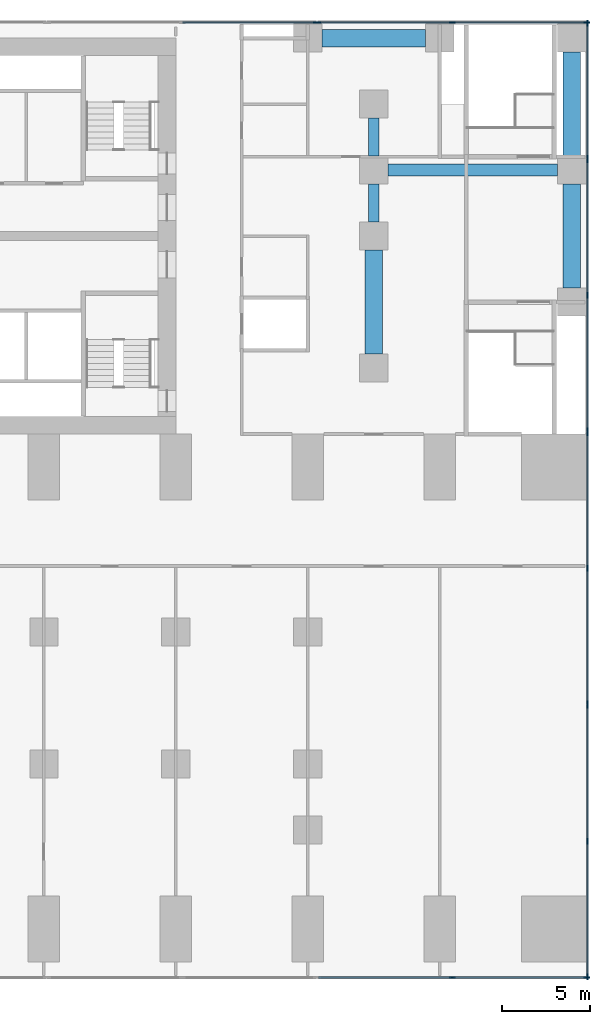
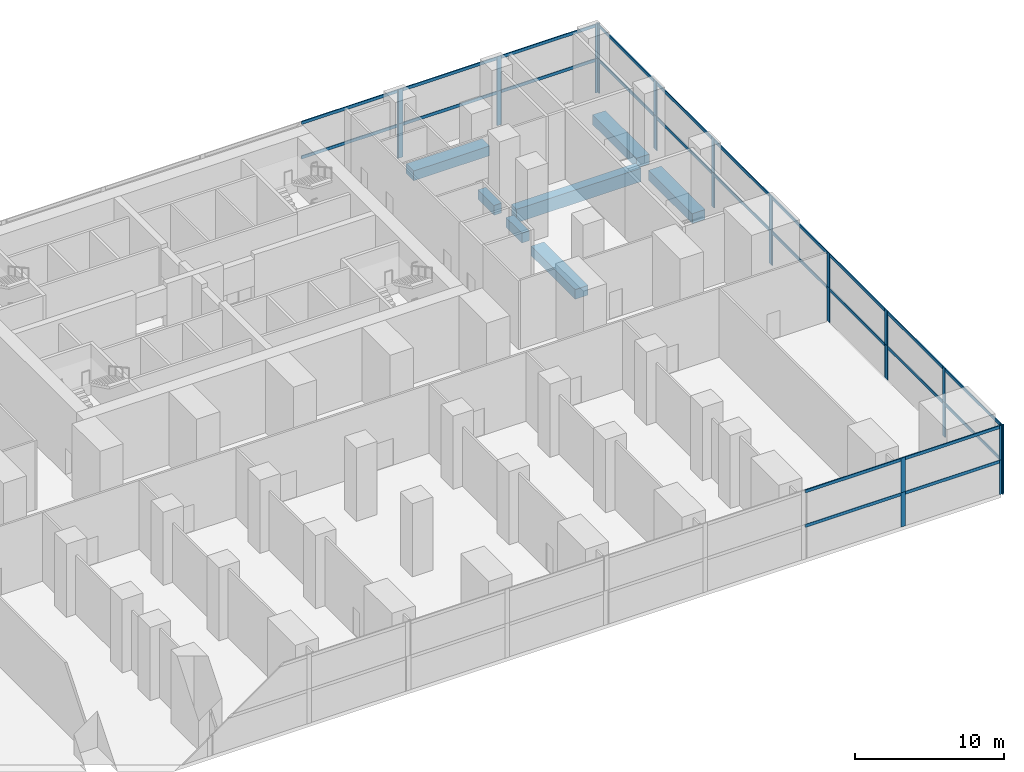
# One storey, part 5 of 14: 58 members, 7 beams, 14 elements without a shape of their own.
"""IFC4 building model written with IfcOpenShell, lengths in metres."""

from ifc_helpers import new_model, si_unit, direction, frame, origin, origin_2d, place, context, subcontext, project, spatial, rectangle, extrude, material, material_profile, profile_set, type_object, element, aggregate, save


model = new_model("IFC4")

# Units and contexts
model_context = context("Model", 3, precision=1e-05, world=origin(), true_north=direction((0.0, 1.0)))
body_context = subcontext(model_context, "Body", "Model", "MODEL_VIEW")
ifc_project = project(units=[si_unit("LENGTHUNIT", "METRE"), si_unit("AREAUNIT", "SQUARE_METRE"), si_unit("VOLUMEUNIT", "CUBIC_METRE"), si_unit("PLANEANGLEUNIT", "RADIAN"), si_unit("MASSUNIT", "GRAM", prefix="KILO")], contexts=[model_context])

# Site, building, storey
site_placement = place(None, origin())
site = spatial("IfcSite", under=ifc_project, at=site_placement, CompositionType="ELEMENT")
building_placement = place(site_placement, origin())
building = spatial("IfcBuilding", under=site, at=building_placement, Name="Pilkhan Gate Tower", CompositionType="ELEMENT")
storey_placement = place(building_placement, frame((0.0, 0.0, 24.0)))
storey = spatial("IfcBuildingStorey", under=building, at=storey_placement, Name="L03", CompositionType="ELEMENT", Elevation=24.0)

# Curtain wall, members
ifc_material_1 = material(Name="Pale anodised aluminium, clear low-iron laminated glazing", Category="aluminium")
curtain_wall_type = type_object("IfcCurtainWallType", Name="Podium unitised curtain wall CW-P", PredefinedType="USERDEFINED", material=ifc_material_1)
curtain_wall_1_placement = place(storey_placement, origin())
curtain_wall_1 = element("IfcCurtainWall", 1, at=curtain_wall_1_placement, inside=storey, type_object=curtain_wall_type, Name="Podium unitised curtain wall CW-P L03 E", ObjectType="UNITISED CURTAIN WALL", PredefinedType="USERDEFINED")
ifc_material_2 = material(Name="Pale anodised aluminium", Category="aluminium")
ifc_material_profile_1 = material_profile(ifc_material_2, rectangle(XDim=0.080078125, YDim=0.35009765625, at=origin_2d()), Name="Mullion 350x80")
ifc_profile_set_1 = profile_set([ifc_material_profile_1], Name="Pale anodised aluminium")
member_type_1 = type_object("IfcMemberType", Name="Mullion CW-P 350x80", PredefinedType="MULLION", material=ifc_profile_set_1)
member_1_placement = place(storey_placement, frame((113.39501953125, 40.39501953125, 0.0), z_axis=(0.0, 0.0, 1.0), x_axis=(-1.0, 0.0, 0.0)))
member_1 = element("IfcMember", 2, at=member_1_placement, type_object=member_type_1, Name="CW-P mullion 1", PredefinedType="MULLION", context=body_context, shape_type="SweptSolid", body=[
    extrude(rectangle(XDim=0.080078125, YDim=0.35009765625, at=origin_2d()), origin(), (0.0, 0.0, 1.0), 2.824951171875),
])
member_2_placement = place(storey_placement, frame((113.39501953125, 48.110595703125, 0.0), z_axis=(0.0, 0.0, 1.0), x_axis=(-1.0, 0.0, 0.0)))
member_2 = element("IfcMember", 3, at=member_2_placement, type_object=member_type_1, Name="CW-P mullion 2", PredefinedType="MULLION", context=body_context, shape_type="SweptSolid", body=[
    extrude(rectangle(XDim=0.080078125, YDim=0.35009765625, at=origin_2d()), origin(), (0.0, 0.0, 1.0), 2.824951171875),
])
member_3_placement = place(storey_placement, frame((113.39501953125, 55.826416015625, 0.0), z_axis=(0.0, 0.0, 1.0), x_axis=(-1.0, 0.0, 0.0)))
member_3 = element("IfcMember", 4, at=member_3_placement, type_object=member_type_1, Name="CW-P mullion 3", PredefinedType="MULLION", context=body_context, shape_type="SweptSolid", body=[
    extrude(rectangle(XDim=0.080078125, YDim=0.35009765625, at=origin_2d()), origin(), (0.0, 0.0, 1.0), 2.824951171875),
])

curtain_wall_2_placement = place(storey_placement, origin())
curtain_wall_2 = element("IfcCurtainWall", 5, at=curtain_wall_2_placement, inside=storey, type_object=curtain_wall_type, Name="Podium unitised curtain wall CW-P L03 E", ObjectType="UNITISED CURTAIN WALL", PredefinedType="USERDEFINED")
member_4_placement = place(storey_placement, frame((113.39501953125, 55.906494140625, 0.0), z_axis=(0.0, 0.0, 1.0), x_axis=(-1.0, 0.0, 0.0)))
member_4 = element("IfcMember", 6, at=member_4_placement, type_object=member_type_1, Name="CW-P mullion 1", PredefinedType="MULLION", context=body_context, shape_type="SweptSolid", body=[
    extrude(rectangle(XDim=0.080078125, YDim=0.35009765625, at=origin_2d()), origin(), (0.0, 0.0, 1.0), 2.824951171875),
])
member_5_placement = place(storey_placement, frame((113.39501953125, 63.6220703125, 0.0), z_axis=(0.0, 0.0, 1.0), x_axis=(-1.0, 0.0, 0.0)))
member_5 = element("IfcMember", 7, at=member_5_placement, type_object=member_type_1, Name="CW-P mullion 2", PredefinedType="MULLION", context=body_context, shape_type="SweptSolid", body=[
    extrude(rectangle(XDim=0.080078125, YDim=0.35009765625, at=origin_2d()), origin(), (0.0, 0.0, 1.0), 2.824951171875),
])
member_6_placement = place(storey_placement, frame((113.39501953125, 71.337890625, 0.0), z_axis=(0.0, 0.0, 1.0), x_axis=(-1.0, 0.0, 0.0)))
member_6 = element("IfcMember", 8, at=member_6_placement, type_object=member_type_1, Name="CW-P mullion 3", PredefinedType="MULLION", context=body_context, shape_type="SweptSolid", body=[
    extrude(rectangle(XDim=0.080078125, YDim=0.35009765625, at=origin_2d()), origin(), (0.0, 0.0, 1.0), 2.824951171875),
])

curtain_wall_3_placement = place(storey_placement, origin())
curtain_wall_3 = element("IfcCurtainWall", 9, at=curtain_wall_3_placement, inside=storey, type_object=curtain_wall_type, Name="Podium unitised curtain wall CW-P L03 E", ObjectType="UNITISED CURTAIN WALL", PredefinedType="USERDEFINED")
member_7_placement = place(storey_placement, frame((113.39501953125, 71.41796875, 0.0), z_axis=(0.0, 0.0, 1.0), x_axis=(-1.0, 0.0, 0.0)))
member_7 = element("IfcMember", 10, at=member_7_placement, type_object=member_type_1, Name="CW-P mullion 1", PredefinedType="MULLION", context=body_context, shape_type="SweptSolid", body=[
    extrude(rectangle(XDim=0.080078125, YDim=0.35009765625, at=origin_2d()), origin(), (0.0, 0.0, 1.0), 2.824951171875),
])
member_8_placement = place(storey_placement, frame((113.39501953125, 79.133544921875, 0.0), z_axis=(0.0, 0.0, 1.0), x_axis=(-1.0, 0.0, 0.0)))
member_8 = element("IfcMember", 11, at=member_8_placement, type_object=member_type_1, Name="CW-P mullion 2", PredefinedType="MULLION", context=body_context, shape_type="SweptSolid", body=[
    extrude(rectangle(XDim=0.080078125, YDim=0.35009765625, at=origin_2d()), origin(), (0.0, 0.0, 1.0), 2.824951171875),
])
member_9_placement = place(storey_placement, frame((113.39501953125, 86.849365234375, 0.0), z_axis=(0.0, 0.0, 1.0), x_axis=(-1.0, 0.0, 0.0)))
member_9 = element("IfcMember", 12, at=member_9_placement, type_object=member_type_1, Name="CW-P mullion 3", PredefinedType="MULLION", context=body_context, shape_type="SweptSolid", body=[
    extrude(rectangle(XDim=0.080078125, YDim=0.35009765625, at=origin_2d()), origin(), (0.0, 0.0, 1.0), 2.824951171875),
])

curtain_wall_4_placement = place(storey_placement, origin())
curtain_wall_4 = element("IfcCurtainWall", 13, at=curtain_wall_4_placement, inside=storey, type_object=curtain_wall_type, Name="Podium unitised curtain wall CW-P L03 E", ObjectType="UNITISED CURTAIN WALL", PredefinedType="USERDEFINED")
member_10_placement = place(storey_placement, frame((113.39501953125, 86.92919921875, 0.0), z_axis=(0.0, 0.0, 1.0), x_axis=(-1.0, 0.0, 0.0)))
member_10 = element("IfcMember", 14, at=member_10_placement, type_object=member_type_1, Name="CW-P mullion 1", PredefinedType="MULLION", context=body_context, shape_type="SweptSolid", body=[
    extrude(rectangle(XDim=0.080078125, YDim=0.35009765625, at=origin_2d()), origin(), (0.0, 0.0, 1.0), 2.824951171875),
])
member_11_placement = place(storey_placement, frame((113.39501953125, 94.60498046875, 0.0), z_axis=(0.0, 0.0, 1.0), x_axis=(-1.0, 0.0, 0.0)))
member_11 = element("IfcMember", 15, at=member_11_placement, type_object=member_type_1, Name="CW-P mullion 2", PredefinedType="MULLION", context=body_context, shape_type="SweptSolid", body=[
    extrude(rectangle(XDim=0.080078125, YDim=0.35009765625, at=origin_2d()), origin(), (0.0, 0.0, 1.0), 2.824951171875),
])

curtain_wall_5_placement = place(storey_placement, origin())
curtain_wall_5 = element("IfcCurtainWall", 16, at=curtain_wall_5_placement, inside=storey, type_object=curtain_wall_type, Name="Podium unitised curtain wall CW-P L03 E", ObjectType="UNITISED CURTAIN WALL", PredefinedType="USERDEFINED")
member_12_placement = place(storey_placement, frame((113.39501953125, 40.39501953125, 2.824951171875), z_axis=(0.0, 0.0, 1.0), x_axis=(-1.0, 0.0, 0.0)))
member_12 = element("IfcMember", 17, at=member_12_placement, type_object=member_type_1, Name="CW-P mullion 1", PredefinedType="MULLION", context=body_context, shape_type="SweptSolid", body=[
    extrude(rectangle(XDim=0.080078125, YDim=0.35009765625, at=origin_2d()), origin(), (0.0, 0.0, 1.0), 2.824951171875),
])
member_13_placement = place(storey_placement, frame((113.39501953125, 48.110595703125, 2.824951171875), z_axis=(0.0, 0.0, 1.0), x_axis=(-1.0, 0.0, 0.0)))
member_13 = element("IfcMember", 18, at=member_13_placement, type_object=member_type_1, Name="CW-P mullion 2", PredefinedType="MULLION", context=body_context, shape_type="SweptSolid", body=[
    extrude(rectangle(XDim=0.080078125, YDim=0.35009765625, at=origin_2d()), origin(), (0.0, 0.0, 1.0), 2.824951171875),
])
member_14_placement = place(storey_placement, frame((113.39501953125, 55.826416015625, 2.824951171875), z_axis=(0.0, 0.0, 1.0), x_axis=(-1.0, 0.0, 0.0)))
member_14 = element("IfcMember", 19, at=member_14_placement, type_object=member_type_1, Name="CW-P mullion 3", PredefinedType="MULLION", context=body_context, shape_type="SweptSolid", body=[
    extrude(rectangle(XDim=0.080078125, YDim=0.35009765625, at=origin_2d()), origin(), (0.0, 0.0, 1.0), 2.824951171875),
])

curtain_wall_6_placement = place(storey_placement, origin())
curtain_wall_6 = element("IfcCurtainWall", 20, at=curtain_wall_6_placement, inside=storey, type_object=curtain_wall_type, Name="Podium unitised curtain wall CW-P L03 E", ObjectType="UNITISED CURTAIN WALL", PredefinedType="USERDEFINED")
member_15_placement = place(storey_placement, frame((113.39501953125, 55.906494140625, 2.824951171875), z_axis=(0.0, 0.0, 1.0), x_axis=(-1.0, 0.0, 0.0)))
member_15 = element("IfcMember", 21, at=member_15_placement, type_object=member_type_1, Name="CW-P mullion 1", PredefinedType="MULLION", context=body_context, shape_type="SweptSolid", body=[
    extrude(rectangle(XDim=0.080078125, YDim=0.35009765625, at=origin_2d()), origin(), (0.0, 0.0, 1.0), 2.824951171875),
])
member_16_placement = place(storey_placement, frame((113.39501953125, 63.6220703125, 2.824951171875), z_axis=(0.0, 0.0, 1.0), x_axis=(-1.0, 0.0, 0.0)))
member_16 = element("IfcMember", 22, at=member_16_placement, type_object=member_type_1, Name="CW-P mullion 2", PredefinedType="MULLION", context=body_context, shape_type="SweptSolid", body=[
    extrude(rectangle(XDim=0.080078125, YDim=0.35009765625, at=origin_2d()), origin(), (0.0, 0.0, 1.0), 2.824951171875),
])
member_17_placement = place(storey_placement, frame((113.39501953125, 71.337890625, 2.824951171875), z_axis=(0.0, 0.0, 1.0), x_axis=(-1.0, 0.0, 0.0)))
member_17 = element("IfcMember", 23, at=member_17_placement, type_object=member_type_1, Name="CW-P mullion 3", PredefinedType="MULLION", context=body_context, shape_type="SweptSolid", body=[
    extrude(rectangle(XDim=0.080078125, YDim=0.35009765625, at=origin_2d()), origin(), (0.0, 0.0, 1.0), 2.824951171875),
])

curtain_wall_7_placement = place(storey_placement, origin())
curtain_wall_7 = element("IfcCurtainWall", 24, at=curtain_wall_7_placement, inside=storey, type_object=curtain_wall_type, Name="Podium unitised curtain wall CW-P L03 E", ObjectType="UNITISED CURTAIN WALL", PredefinedType="USERDEFINED")
member_18_placement = place(storey_placement, frame((113.39501953125, 71.41796875, 2.824951171875), z_axis=(0.0, 0.0, 1.0), x_axis=(-1.0, 0.0, 0.0)))
member_18 = element("IfcMember", 25, at=member_18_placement, type_object=member_type_1, Name="CW-P mullion 1", PredefinedType="MULLION", context=body_context, shape_type="SweptSolid", body=[
    extrude(rectangle(XDim=0.080078125, YDim=0.35009765625, at=origin_2d()), origin(), (0.0, 0.0, 1.0), 2.824951171875),
])
member_19_placement = place(storey_placement, frame((113.39501953125, 79.133544921875, 2.824951171875), z_axis=(0.0, 0.0, 1.0), x_axis=(-1.0, 0.0, 0.0)))
member_19 = element("IfcMember", 26, at=member_19_placement, type_object=member_type_1, Name="CW-P mullion 2", PredefinedType="MULLION", context=body_context, shape_type="SweptSolid", body=[
    extrude(rectangle(XDim=0.080078125, YDim=0.35009765625, at=origin_2d()), origin(), (0.0, 0.0, 1.0), 2.824951171875),
])
member_20_placement = place(storey_placement, frame((113.39501953125, 86.849365234375, 2.824951171875), z_axis=(0.0, 0.0, 1.0), x_axis=(-1.0, 0.0, 0.0)))
member_20 = element("IfcMember", 27, at=member_20_placement, type_object=member_type_1, Name="CW-P mullion 3", PredefinedType="MULLION", context=body_context, shape_type="SweptSolid", body=[
    extrude(rectangle(XDim=0.080078125, YDim=0.35009765625, at=origin_2d()), origin(), (0.0, 0.0, 1.0), 2.824951171875),
])

curtain_wall_8_placement = place(storey_placement, origin())
curtain_wall_8 = element("IfcCurtainWall", 28, at=curtain_wall_8_placement, inside=storey, type_object=curtain_wall_type, Name="Podium unitised curtain wall CW-P L03 E", ObjectType="UNITISED CURTAIN WALL", PredefinedType="USERDEFINED")
member_21_placement = place(storey_placement, frame((113.39501953125, 86.92919921875, 2.824951171875), z_axis=(0.0, 0.0, 1.0), x_axis=(-1.0, 0.0, 0.0)))
member_21 = element("IfcMember", 29, at=member_21_placement, type_object=member_type_1, Name="CW-P mullion 1", PredefinedType="MULLION", context=body_context, shape_type="SweptSolid", body=[
    extrude(rectangle(XDim=0.080078125, YDim=0.35009765625, at=origin_2d()), origin(), (0.0, 0.0, 1.0), 2.824951171875),
])
member_22_placement = place(storey_placement, frame((113.39501953125, 94.60498046875, 2.824951171875), z_axis=(0.0, 0.0, 1.0), x_axis=(-1.0, 0.0, 0.0)))
member_22 = element("IfcMember", 30, at=member_22_placement, type_object=member_type_1, Name="CW-P mullion 2", PredefinedType="MULLION", context=body_context, shape_type="SweptSolid", body=[
    extrude(rectangle(XDim=0.080078125, YDim=0.35009765625, at=origin_2d()), origin(), (0.0, 0.0, 1.0), 2.824951171875),
])

# Curtain wall, member
curtain_wall_9_placement = place(storey_placement, origin())
curtain_wall_9 = element("IfcCurtainWall", 31, at=curtain_wall_9_placement, inside=storey, type_object=curtain_wall_type, Name="Podium unitised curtain wall CW-P L03 N", ObjectType="UNITISED CURTAIN WALL", PredefinedType="USERDEFINED")
member_23_placement = place(storey_placement, frame((97.9970703125, 94.64501953125, 0.0), z_axis=(0.0, 0.0, 1.0), x_axis=(0.0, 1.0, 0.0)))
member_23 = element("IfcMember", 32, at=member_23_placement, type_object=member_type_1, Name="CW-P mullion 3", PredefinedType="MULLION", context=body_context, shape_type="SweptSolid", body=[
    extrude(rectangle(XDim=0.080078125, YDim=0.35009765625, at=origin_2d()), origin(), (0.0, 0.0, 1.0), 2.824951171875),
])

# Curtain wall, members
curtain_wall_10_placement = place(storey_placement, origin())
curtain_wall_10 = element("IfcCurtainWall", 33, at=curtain_wall_10_placement, inside=storey, type_object=curtain_wall_type, Name="Podium unitised curtain wall CW-P L03 N", ObjectType="UNITISED CURTAIN WALL", PredefinedType="USERDEFINED")
member_24_placement = place(storey_placement, frame((98.076904296875, 94.64501953125, 0.0), z_axis=(0.0, 0.0, 1.0), x_axis=(0.0, 1.0, 0.0)))
member_24 = element("IfcMember", 34, at=member_24_placement, type_object=member_type_1, Name="CW-P mullion 1", PredefinedType="MULLION", context=body_context, shape_type="SweptSolid", body=[
    extrude(rectangle(XDim=0.080078125, YDim=0.35009765625, at=origin_2d()), origin(), (0.0, 0.0, 1.0), 2.824951171875),
])
member_25_placement = place(storey_placement, frame((105.716064453125, 94.64501953125, 0.0), z_axis=(0.0, 0.0, 1.0), x_axis=(0.0, 1.0, 0.0)))
member_25 = element("IfcMember", 35, at=member_25_placement, type_object=member_type_1, Name="CW-P mullion 2", PredefinedType="MULLION", context=body_context, shape_type="SweptSolid", body=[
    extrude(rectangle(XDim=0.080078125, YDim=0.35009765625, at=origin_2d()), origin(), (0.0, 0.0, 1.0), 2.824951171875),
])
member_26_placement = place(storey_placement, frame((113.35498046875, 94.64501953125, 0.0), z_axis=(0.0, 0.0, 1.0), x_axis=(0.0, 1.0, 0.0)))
member_26 = element("IfcMember", 36, at=member_26_placement, type_object=member_type_1, Name="CW-P mullion 3", PredefinedType="MULLION", context=body_context, shape_type="SweptSolid", body=[
    extrude(rectangle(XDim=0.080078125, YDim=0.35009765625, at=origin_2d()), origin(), (0.0, 0.0, 1.0), 2.824951171875),
])

# Curtain wall, member
curtain_wall_11_placement = place(storey_placement, origin())
curtain_wall_11 = element("IfcCurtainWall", 37, at=curtain_wall_11_placement, inside=storey, type_object=curtain_wall_type, Name="Podium unitised curtain wall CW-P L03 N", ObjectType="UNITISED CURTAIN WALL", PredefinedType="USERDEFINED")
member_27_placement = place(storey_placement, frame((97.9970703125, 94.64501953125, 2.824951171875), z_axis=(0.0, 0.0, 1.0), x_axis=(0.0, 1.0, 0.0)))
member_27 = element("IfcMember", 38, at=member_27_placement, type_object=member_type_1, Name="CW-P mullion 3", PredefinedType="MULLION", context=body_context, shape_type="SweptSolid", body=[
    extrude(rectangle(XDim=0.080078125, YDim=0.35009765625, at=origin_2d()), origin(), (0.0, 0.0, 1.0), 2.824951171875),
])

# Curtain wall, members
curtain_wall_12_placement = place(storey_placement, origin())
curtain_wall_12 = element("IfcCurtainWall", 39, at=curtain_wall_12_placement, inside=storey, type_object=curtain_wall_type, Name="Podium unitised curtain wall CW-P L03 N", ObjectType="UNITISED CURTAIN WALL", PredefinedType="USERDEFINED")
member_28_placement = place(storey_placement, frame((98.076904296875, 94.64501953125, 2.824951171875), z_axis=(0.0, 0.0, 1.0), x_axis=(0.0, 1.0, 0.0)))
member_28 = element("IfcMember", 40, at=member_28_placement, type_object=member_type_1, Name="CW-P mullion 1", PredefinedType="MULLION", context=body_context, shape_type="SweptSolid", body=[
    extrude(rectangle(XDim=0.080078125, YDim=0.35009765625, at=origin_2d()), origin(), (0.0, 0.0, 1.0), 2.824951171875),
])
member_29_placement = place(storey_placement, frame((105.716064453125, 94.64501953125, 2.824951171875), z_axis=(0.0, 0.0, 1.0), x_axis=(0.0, 1.0, 0.0)))
member_29 = element("IfcMember", 41, at=member_29_placement, type_object=member_type_1, Name="CW-P mullion 2", PredefinedType="MULLION", context=body_context, shape_type="SweptSolid", body=[
    extrude(rectangle(XDim=0.080078125, YDim=0.35009765625, at=origin_2d()), origin(), (0.0, 0.0, 1.0), 2.824951171875),
])
member_30_placement = place(storey_placement, frame((113.35498046875, 94.64501953125, 2.824951171875), z_axis=(0.0, 0.0, 1.0), x_axis=(0.0, 1.0, 0.0)))
member_30 = element("IfcMember", 42, at=member_30_placement, type_object=member_type_1, Name="CW-P mullion 3", PredefinedType="MULLION", context=body_context, shape_type="SweptSolid", body=[
    extrude(rectangle(XDim=0.080078125, YDim=0.35009765625, at=origin_2d()), origin(), (0.0, 0.0, 1.0), 2.824951171875),
])

curtain_wall_13_placement = place(storey_placement, origin())
curtain_wall_13 = element("IfcCurtainWall", 43, at=curtain_wall_13_placement, inside=storey, type_object=curtain_wall_type, Name="Podium unitised curtain wall CW-P L03 S", ObjectType="UNITISED CURTAIN WALL", PredefinedType="USERDEFINED")
member_31_placement = place(storey_placement, frame((105.716064453125, 40.35498046875, 0.0), z_axis=(0.0, 0.0, 1.0), x_axis=(0.0, 1.0, 0.0)))
member_31 = element("IfcMember", 44, at=member_31_placement, type_object=member_type_1, Name="CW-P mullion 2", PredefinedType="MULLION", context=body_context, shape_type="SweptSolid", body=[
    extrude(rectangle(XDim=0.080078125, YDim=0.35009765625, at=origin_2d()), origin(), (0.0, 0.0, 1.0), 2.824951171875),
])
member_32_placement = place(storey_placement, frame((113.35498046875, 40.35498046875, 0.0), z_axis=(0.0, 0.0, 1.0), x_axis=(0.0, 1.0, 0.0)))
member_32 = element("IfcMember", 45, at=member_32_placement, type_object=member_type_1, Name="CW-P mullion 3", PredefinedType="MULLION", context=body_context, shape_type="SweptSolid", body=[
    extrude(rectangle(XDim=0.080078125, YDim=0.35009765625, at=origin_2d()), origin(), (0.0, 0.0, 1.0), 2.824951171875),
])

curtain_wall_14_placement = place(storey_placement, origin())
curtain_wall_14 = element("IfcCurtainWall", 46, at=curtain_wall_14_placement, inside=storey, type_object=curtain_wall_type, Name="Podium unitised curtain wall CW-P L03 S", ObjectType="UNITISED CURTAIN WALL", PredefinedType="USERDEFINED")
member_33_placement = place(storey_placement, frame((105.716064453125, 40.35498046875, 2.824951171875), z_axis=(0.0, 0.0, 1.0), x_axis=(0.0, 1.0, 0.0)))
member_33 = element("IfcMember", 47, at=member_33_placement, type_object=member_type_1, Name="CW-P mullion 2", PredefinedType="MULLION", context=body_context, shape_type="SweptSolid", body=[
    extrude(rectangle(XDim=0.080078125, YDim=0.35009765625, at=origin_2d()), origin(), (0.0, 0.0, 1.0), 2.824951171875),
])
member_34_placement = place(storey_placement, frame((113.35498046875, 40.35498046875, 2.824951171875), z_axis=(0.0, 0.0, 1.0), x_axis=(0.0, 1.0, 0.0)))
member_34 = element("IfcMember", 48, at=member_34_placement, type_object=member_type_1, Name="CW-P mullion 3", PredefinedType="MULLION", context=body_context, shape_type="SweptSolid", body=[
    extrude(rectangle(XDim=0.080078125, YDim=0.35009765625, at=origin_2d()), origin(), (0.0, 0.0, 1.0), 2.824951171875),
])

# Beams
ifc_material_3 = material(Name="Concrete C50/60", Category="concrete")
ifc_material_profile_2 = material_profile(ifc_material_3, rectangle(XDim=0.699951171875, YDim=1.10009765625, at=origin_2d()), Name="RC 700x1100")
ifc_profile_set_2 = profile_set([ifc_material_profile_2], Name="Concrete C50/60")
beam_type_1 = type_object("IfcBeamType", Name="Podium girder PG110 RC 700x1100 C50/60", PredefinedType="BEAM", material=ifc_profile_set_2)
beam_placement = place(storey_placement, frame((102.050048828125, 86.25, -0.89990234375), z_axis=(1.0, 0.0, 0.0), x_axis=(0.0, 1.0, 0.0)))
element("IfcBeam", 49, at=beam_placement, inside=storey, type_object=beam_type_1, Name="Podium beam 12 L03", PredefinedType="BEAM", context=body_context, shape_type="SweptSolid", body=[
    extrude(rectangle(XDim=0.699951171875, YDim=1.10009765625, at=origin_2d()), origin(), (0.0, 0.0, 1.0), 9.64990234375),
])
ifc_material_profile_3 = material_profile(ifc_material_3, rectangle(XDim=1.0, YDim=0.800048828125, at=origin_2d()), Name="RC 1000x800")
ifc_profile_set_3 = profile_set([ifc_material_profile_3], Name="Concrete C50/60")
beam_type_2 = type_object("IfcBeamType", Name="Podium joist PJ80 RC 1000x800 C50/60", PredefinedType="JOIST", material=ifc_profile_set_3)
for number, where, z_axis, x_axis, name in (
    (50, (98.300048828125, 93.75, -0.75), (1.0, 0.0, 0.0), (0.0, 1.0, 0.0), "Podium beam 8 L03"),
    (51, (101.25, 75.800048828125, -0.75), (0.0, 1.0, 0.0), (-1.0, 0.0, 0.0), "Podium beam 9 L03"),
    (52, (112.5, 79.550048828125, -0.75), (0.0, 1.0, 0.0), (-1.0, 0.0, 0.0), "Podium beam 13 L03"),
    (53, (112.5, 87.050048828125, -0.75), (0.0, 1.0, 0.0), (-1.0, 0.0, 0.0), "Podium beam 14 L03"),
):
    element("IfcBeam", number, at=place(storey_placement, frame(where, z_axis=z_axis, x_axis=x_axis)), inside=storey, type_object=beam_type_2, Name=name, PredefinedType="JOIST", context=body_context, shape_type="SweptSolid", body=[
        extrude(rectangle(XDim=1.0, YDim=0.800048828125, at=origin_2d()), origin(), (0.0, 0.0, 1.0), 5.89990234375),
    ])
ifc_material_profile_4 = material_profile(ifc_material_3, rectangle(XDim=0.60009765625, YDim=0.800048828125, at=origin_2d()), Name="RC 600x800")
ifc_profile_set_4 = profile_set([ifc_material_profile_4], Name="Concrete C50/60")
beam_type_3 = type_object("IfcBeamType", Name="Podium joist PJ81 RC 600x800 C50/60", PredefinedType="JOIST", material=ifc_profile_set_4)
for number, where, z_axis, x_axis, name in (
    (54, (101.25, 83.300048828125, -0.75), (0.0, 1.0, 0.0), (-1.0, 0.0, 0.0), "Podium beam 10 L03"),
    (55, (101.25, 87.050048828125, -0.75), (0.0, 1.0, 0.0), (-1.0, 0.0, 0.0), "Podium beam 11 L03"),
):
    element("IfcBeam", number, at=place(storey_placement, frame(where, z_axis=z_axis, x_axis=x_axis)), inside=storey, type_object=beam_type_3, Name=name, PredefinedType="JOIST", context=body_context, shape_type="SweptSolid", body=[
        extrude(rectangle(XDim=0.60009765625, YDim=0.800048828125, at=origin_2d()), origin(), (0.0, 0.0, 1.0), 2.14990234375),
    ])

# Member
ifc_material_profile_5 = material_profile(ifc_material_2, rectangle(XDim=0.080078125, YDim=0.25, at=origin_2d()), Name="Transom 250x80")
ifc_profile_set_5 = profile_set([ifc_material_profile_5], Name="Pale anodised aluminium")
member_type_2 = type_object("IfcMemberType", Name="Transom CW-P 250x80", PredefinedType="USERDEFINED", material=ifc_profile_set_5)
member_35_placement = place(storey_placement, frame((113.39501953125, 40.43505859375, 2.699951171875), z_axis=(0.0, 1.0, 0.0), x_axis=(-1.0, 0.0, 0.0)))
member_35 = element("IfcMember", 56, at=member_35_placement, type_object=member_type_2, Name="CW-P transom 1", ObjectType="TRANSOM", PredefinedType="USERDEFINED", context=body_context, shape_type="SweptSolid", body=[
    extrude(rectangle(XDim=0.080078125, YDim=0.25, at=origin_2d()), origin(), (0.0, 0.0, 1.0), 7.6357421875),
])

member_36_placement = place(storey_placement, frame((113.39501953125, 48.150634765625, 2.699951171875), z_axis=(0.0, 1.0, 0.0), x_axis=(-1.0, 0.0, 0.0)))
member_36 = element("IfcMember", 57, at=member_36_placement, type_object=member_type_2, Name="CW-P transom 2", ObjectType="TRANSOM", PredefinedType="USERDEFINED", context=body_context, shape_type="SweptSolid", body=[
    extrude(rectangle(XDim=0.080078125, YDim=0.25, at=origin_2d()), origin(), (0.0, 0.0, 1.0), 7.6357421875),
])

aggregate(curtain_wall_1, [member_1, member_2, member_3, member_35, member_36])

member_37_placement = place(storey_placement, frame((113.39501953125, 55.946533203125, 2.699951171875), z_axis=(0.0, 1.0, 0.0), x_axis=(-1.0, 0.0, 0.0)))
member_37 = element("IfcMember", 58, at=member_37_placement, type_object=member_type_2, Name="CW-P transom 1", ObjectType="TRANSOM", PredefinedType="USERDEFINED", context=body_context, shape_type="SweptSolid", body=[
    extrude(rectangle(XDim=0.080078125, YDim=0.25, at=origin_2d()), origin(), (0.0, 0.0, 1.0), 7.635498046875),
])

member_38_placement = place(storey_placement, frame((113.39501953125, 63.662109375, 2.699951171875), z_axis=(0.0, 1.0, 0.0), x_axis=(-1.0, 0.0, 0.0)))
member_38 = element("IfcMember", 59, at=member_38_placement, type_object=member_type_2, Name="CW-P transom 2", ObjectType="TRANSOM", PredefinedType="USERDEFINED", context=body_context, shape_type="SweptSolid", body=[
    extrude(rectangle(XDim=0.080078125, YDim=0.25, at=origin_2d()), origin(), (0.0, 0.0, 1.0), 7.6357421875),
])

aggregate(curtain_wall_2, [member_4, member_5, member_6, member_37, member_38])

member_39_placement = place(storey_placement, frame((113.39501953125, 71.457763671875, 2.699951171875), z_axis=(0.0, 1.0, 0.0), x_axis=(-1.0, 0.0, 0.0)))
member_39 = element("IfcMember", 60, at=member_39_placement, type_object=member_type_2, Name="CW-P transom 1", ObjectType="TRANSOM", PredefinedType="USERDEFINED", context=body_context, shape_type="SweptSolid", body=[
    extrude(rectangle(XDim=0.080078125, YDim=0.25, at=origin_2d()), origin(), (0.0, 0.0, 1.0), 7.6357421875),
])

member_40_placement = place(storey_placement, frame((113.39501953125, 79.173583984375, 2.699951171875), z_axis=(0.0, 1.0, 0.0), x_axis=(-1.0, 0.0, 0.0)))
member_40 = element("IfcMember", 61, at=member_40_placement, type_object=member_type_2, Name="CW-P transom 2", ObjectType="TRANSOM", PredefinedType="USERDEFINED", context=body_context, shape_type="SweptSolid", body=[
    extrude(rectangle(XDim=0.080078125, YDim=0.25, at=origin_2d()), origin(), (0.0, 0.0, 1.0), 7.6357421875),
])

aggregate(curtain_wall_3, [member_7, member_8, member_9, member_39, member_40])

member_41_placement = place(storey_placement, frame((113.39501953125, 86.96923828125, 2.699951171875), z_axis=(0.0, 1.0, 0.0), x_axis=(-1.0, 0.0, 0.0)))
member_41 = element("IfcMember", 62, at=member_41_placement, type_object=member_type_2, Name="CW-P transom 1", ObjectType="TRANSOM", PredefinedType="USERDEFINED", context=body_context, shape_type="SweptSolid", body=[
    extrude(rectangle(XDim=0.080078125, YDim=0.25, at=origin_2d()), origin(), (0.0, 0.0, 1.0), 7.595703125),
])

aggregate(curtain_wall_4, [member_10, member_11, member_41])

member_42_placement = place(storey_placement, frame((113.39501953125, 40.43505859375, 5.52490234375), z_axis=(0.0, 1.0, 0.0), x_axis=(-1.0, 0.0, 0.0)))
member_42 = element("IfcMember", 63, at=member_42_placement, type_object=member_type_2, Name="CW-P transom 1", ObjectType="TRANSOM", PredefinedType="USERDEFINED", context=body_context, shape_type="SweptSolid", body=[
    extrude(rectangle(XDim=0.080078125, YDim=0.25, at=origin_2d()), origin(), (0.0, 0.0, 1.0), 7.6357421875),
])

member_43_placement = place(storey_placement, frame((113.39501953125, 48.150634765625, 5.52490234375), z_axis=(0.0, 1.0, 0.0), x_axis=(-1.0, 0.0, 0.0)))
member_43 = element("IfcMember", 64, at=member_43_placement, type_object=member_type_2, Name="CW-P transom 2", ObjectType="TRANSOM", PredefinedType="USERDEFINED", context=body_context, shape_type="SweptSolid", body=[
    extrude(rectangle(XDim=0.080078125, YDim=0.25, at=origin_2d()), origin(), (0.0, 0.0, 1.0), 7.6357421875),
])

aggregate(curtain_wall_5, [member_12, member_13, member_14, member_42, member_43])

member_44_placement = place(storey_placement, frame((113.39501953125, 55.946533203125, 5.52490234375), z_axis=(0.0, 1.0, 0.0), x_axis=(-1.0, 0.0, 0.0)))
member_44 = element("IfcMember", 65, at=member_44_placement, type_object=member_type_2, Name="CW-P transom 1", ObjectType="TRANSOM", PredefinedType="USERDEFINED", context=body_context, shape_type="SweptSolid", body=[
    extrude(rectangle(XDim=0.080078125, YDim=0.25, at=origin_2d()), origin(), (0.0, 0.0, 1.0), 7.635498046875),
])

member_45_placement = place(storey_placement, frame((113.39501953125, 63.662109375, 5.52490234375), z_axis=(0.0, 1.0, 0.0), x_axis=(-1.0, 0.0, 0.0)))
member_45 = element("IfcMember", 66, at=member_45_placement, type_object=member_type_2, Name="CW-P transom 2", ObjectType="TRANSOM", PredefinedType="USERDEFINED", context=body_context, shape_type="SweptSolid", body=[
    extrude(rectangle(XDim=0.080078125, YDim=0.25, at=origin_2d()), origin(), (0.0, 0.0, 1.0), 7.6357421875),
])

aggregate(curtain_wall_6, [member_15, member_16, member_17, member_44, member_45])

member_46_placement = place(storey_placement, frame((113.39501953125, 71.457763671875, 5.52490234375), z_axis=(0.0, 1.0, 0.0), x_axis=(-1.0, 0.0, 0.0)))
member_46 = element("IfcMember", 67, at=member_46_placement, type_object=member_type_2, Name="CW-P transom 1", ObjectType="TRANSOM", PredefinedType="USERDEFINED", context=body_context, shape_type="SweptSolid", body=[
    extrude(rectangle(XDim=0.080078125, YDim=0.25, at=origin_2d()), origin(), (0.0, 0.0, 1.0), 7.6357421875),
])

member_47_placement = place(storey_placement, frame((113.39501953125, 79.173583984375, 5.52490234375), z_axis=(0.0, 1.0, 0.0), x_axis=(-1.0, 0.0, 0.0)))
member_47 = element("IfcMember", 68, at=member_47_placement, type_object=member_type_2, Name="CW-P transom 2", ObjectType="TRANSOM", PredefinedType="USERDEFINED", context=body_context, shape_type="SweptSolid", body=[
    extrude(rectangle(XDim=0.080078125, YDim=0.25, at=origin_2d()), origin(), (0.0, 0.0, 1.0), 7.6357421875),
])

aggregate(curtain_wall_7, [member_18, member_19, member_20, member_46, member_47])

member_48_placement = place(storey_placement, frame((113.39501953125, 86.96923828125, 5.52490234375), z_axis=(0.0, 1.0, 0.0), x_axis=(-1.0, 0.0, 0.0)))
member_48 = element("IfcMember", 69, at=member_48_placement, type_object=member_type_2, Name="CW-P transom 1", ObjectType="TRANSOM", PredefinedType="USERDEFINED", context=body_context, shape_type="SweptSolid", body=[
    extrude(rectangle(XDim=0.080078125, YDim=0.25, at=origin_2d()), origin(), (0.0, 0.0, 1.0), 7.595703125),
])

aggregate(curtain_wall_8, [member_21, member_22, member_48])

member_49_placement = place(storey_placement, frame((90.39794921875, 94.64501953125, 2.699951171875), z_axis=(1.0, 0.0, 0.0), x_axis=(0.0, 1.0, 0.0)))
member_49 = element("IfcMember", 70, at=member_49_placement, type_object=member_type_2, Name="CW-P transom 2", ObjectType="TRANSOM", PredefinedType="USERDEFINED", context=body_context, shape_type="SweptSolid", body=[
    extrude(rectangle(XDim=0.080078125, YDim=0.25, at=origin_2d()), origin(), (0.0, 0.0, 1.0), 7.55908203125),
])

aggregate(curtain_wall_9, [member_23, member_49])

member_50_placement = place(storey_placement, frame((98.116943359375, 94.64501953125, 2.699951171875), z_axis=(1.0, 0.0, 0.0), x_axis=(0.0, 1.0, 0.0)))
member_50 = element("IfcMember", 71, at=member_50_placement, type_object=member_type_2, Name="CW-P transom 1", ObjectType="TRANSOM", PredefinedType="USERDEFINED", context=body_context, shape_type="SweptSolid", body=[
    extrude(rectangle(XDim=0.080078125, YDim=0.25, at=origin_2d()), origin(), (0.0, 0.0, 1.0), 7.55908203125),
])

member_51_placement = place(storey_placement, frame((105.756103515625, 94.64501953125, 2.699951171875), z_axis=(1.0, 0.0, 0.0), x_axis=(0.0, 1.0, 0.0)))
member_51 = element("IfcMember", 72, at=member_51_placement, type_object=member_type_2, Name="CW-P transom 2", ObjectType="TRANSOM", PredefinedType="USERDEFINED", context=body_context, shape_type="SweptSolid", body=[
    extrude(rectangle(XDim=0.080078125, YDim=0.25, at=origin_2d()), origin(), (0.0, 0.0, 1.0), 7.558837890625),
])

aggregate(curtain_wall_10, [member_24, member_25, member_26, member_50, member_51])

member_52_placement = place(storey_placement, frame((90.39794921875, 94.64501953125, 5.52490234375), z_axis=(1.0, 0.0, 0.0), x_axis=(0.0, 1.0, 0.0)))
member_52 = element("IfcMember", 73, at=member_52_placement, type_object=member_type_2, Name="CW-P transom 2", ObjectType="TRANSOM", PredefinedType="USERDEFINED", context=body_context, shape_type="SweptSolid", body=[
    extrude(rectangle(XDim=0.080078125, YDim=0.25, at=origin_2d()), origin(), (0.0, 0.0, 1.0), 7.55908203125),
])

aggregate(curtain_wall_11, [member_27, member_52])

member_53_placement = place(storey_placement, frame((98.116943359375, 94.64501953125, 5.52490234375), z_axis=(1.0, 0.0, 0.0), x_axis=(0.0, 1.0, 0.0)))
member_53 = element("IfcMember", 74, at=member_53_placement, type_object=member_type_2, Name="CW-P transom 1", ObjectType="TRANSOM", PredefinedType="USERDEFINED", context=body_context, shape_type="SweptSolid", body=[
    extrude(rectangle(XDim=0.080078125, YDim=0.25, at=origin_2d()), origin(), (0.0, 0.0, 1.0), 7.55908203125),
])

member_54_placement = place(storey_placement, frame((105.756103515625, 94.64501953125, 5.52490234375), z_axis=(1.0, 0.0, 0.0), x_axis=(0.0, 1.0, 0.0)))
member_54 = element("IfcMember", 75, at=member_54_placement, type_object=member_type_2, Name="CW-P transom 2", ObjectType="TRANSOM", PredefinedType="USERDEFINED", context=body_context, shape_type="SweptSolid", body=[
    extrude(rectangle(XDim=0.080078125, YDim=0.25, at=origin_2d()), origin(), (0.0, 0.0, 1.0), 7.558837890625),
])

aggregate(curtain_wall_12, [member_28, member_29, member_30, member_53, member_54])

member_55_placement = place(storey_placement, frame((98.116943359375, 40.35498046875, 2.699951171875), z_axis=(1.0, 0.0, 0.0), x_axis=(0.0, 1.0, 0.0)))
member_55 = element("IfcMember", 76, at=member_55_placement, type_object=member_type_2, Name="CW-P transom 1", ObjectType="TRANSOM", PredefinedType="USERDEFINED", context=body_context, shape_type="SweptSolid", body=[
    extrude(rectangle(XDim=0.080078125, YDim=0.25, at=origin_2d()), origin(), (0.0, 0.0, 1.0), 7.55908203125),
])

member_56_placement = place(storey_placement, frame((105.756103515625, 40.35498046875, 2.699951171875), z_axis=(1.0, 0.0, 0.0), x_axis=(0.0, 1.0, 0.0)))
member_56 = element("IfcMember", 77, at=member_56_placement, type_object=member_type_2, Name="CW-P transom 2", ObjectType="TRANSOM", PredefinedType="USERDEFINED", context=body_context, shape_type="SweptSolid", body=[
    extrude(rectangle(XDim=0.080078125, YDim=0.25, at=origin_2d()), origin(), (0.0, 0.0, 1.0), 7.558837890625),
])

aggregate(curtain_wall_13, [member_31, member_32, member_55, member_56])

member_57_placement = place(storey_placement, frame((98.116943359375, 40.35498046875, 5.52490234375), z_axis=(1.0, 0.0, 0.0), x_axis=(0.0, 1.0, 0.0)))
member_57 = element("IfcMember", 78, at=member_57_placement, type_object=member_type_2, Name="CW-P transom 1", ObjectType="TRANSOM", PredefinedType="USERDEFINED", context=body_context, shape_type="SweptSolid", body=[
    extrude(rectangle(XDim=0.080078125, YDim=0.25, at=origin_2d()), origin(), (0.0, 0.0, 1.0), 7.55908203125),
])

member_58_placement = place(storey_placement, frame((105.756103515625, 40.35498046875, 5.52490234375), z_axis=(1.0, 0.0, 0.0), x_axis=(0.0, 1.0, 0.0)))
member_58 = element("IfcMember", 79, at=member_58_placement, type_object=member_type_2, Name="CW-P transom 2", ObjectType="TRANSOM", PredefinedType="USERDEFINED", context=body_context, shape_type="SweptSolid", body=[
    extrude(rectangle(XDim=0.080078125, YDim=0.25, at=origin_2d()), origin(), (0.0, 0.0, 1.0), 7.558837890625),
])

aggregate(curtain_wall_14, [member_33, member_34, member_57, member_58])

save(model, "model.ifc")
